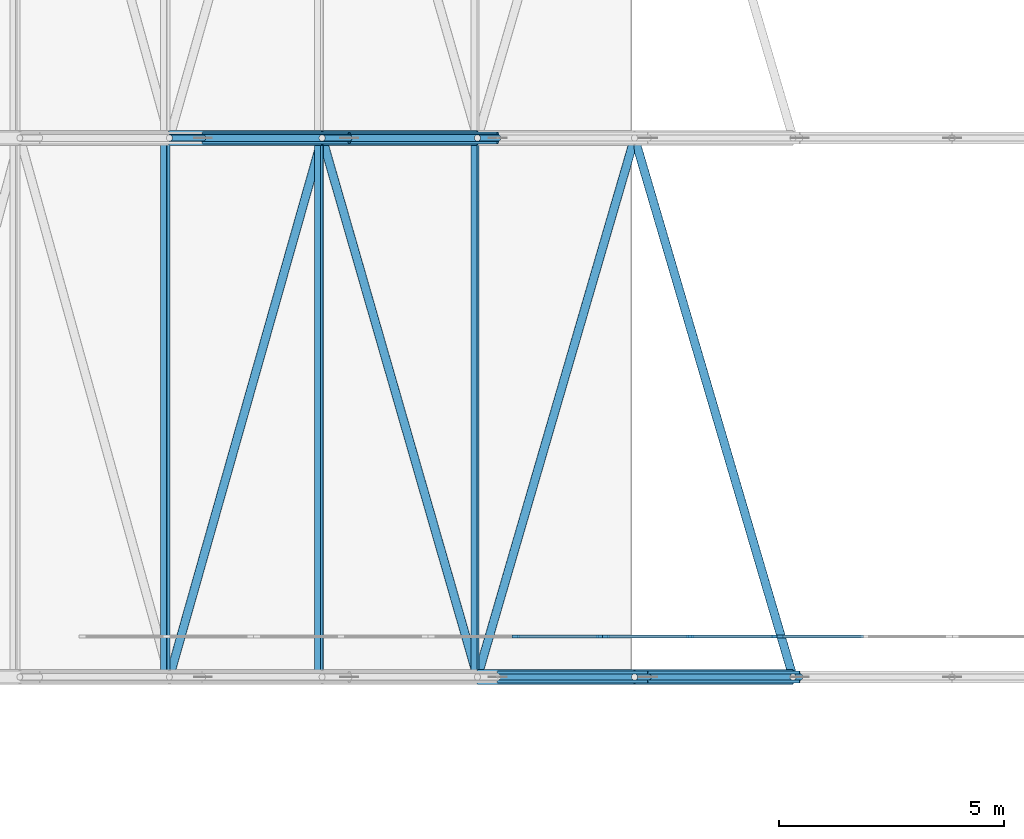
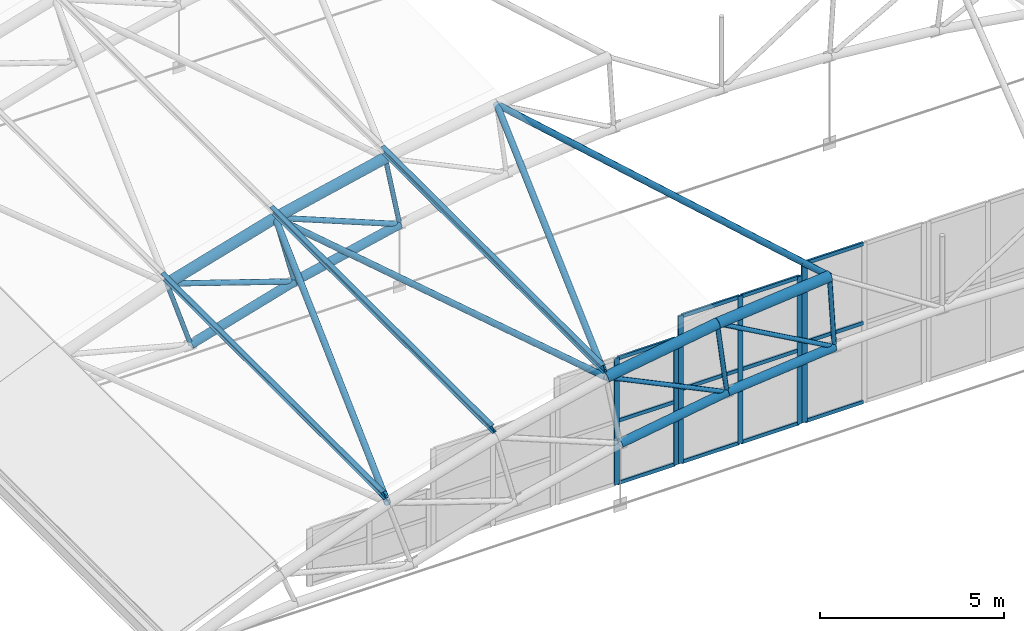
# One storey, part 116 of 321: 42 members, 3 elements without a shape of their own.
"""IFC4 building model written with IfcOpenShell, lengths in metres."""

from ifc_helpers import new_model, si_unit, direction, frame, origin, origin_2d, place, context, subcontext, project, spatial, rectangle, hollow_circle, i_section, extrude, material, layer, layer_set, material_profile, profile_set, type_object, element, aggregate, save


model = new_model("IFC4")

# Units and contexts
model_context = context("Model", 3, precision=1e-05, world=origin(), true_north=direction((0.0, 1.0)))
body_context = subcontext(model_context, "Body", "Model", "MODEL_VIEW")
ifc_project = project(units=[si_unit("LENGTHUNIT", "METRE"), si_unit("AREAUNIT", "SQUARE_METRE"), si_unit("VOLUMEUNIT", "CUBIC_METRE"), si_unit("PLANEANGLEUNIT", "RADIAN"), si_unit("MASSUNIT", "GRAM", prefix="KILO")], contexts=[model_context])

# Site, building, storey
site_placement = place(None, origin())
site = spatial("IfcSite", under=ifc_project, at=site_placement, CompositionType="ELEMENT")
building_placement = place(site_placement, origin())
building = spatial("IfcBuilding", under=site, at=building_placement, Name="Ravi Spectrum Wholesale Market", CompositionType="ELEMENT")
storey_placement = place(building_placement, frame((0.0, 0.0, 10.800048828125)))
storey = spatial("IfcBuildingStorey", under=building, at=storey_placement, Name="L02", CompositionType="ELEMENT", Elevation=10.800048828125)

# Members
ifc_material_1 = material(Name="Steel S355", Category="steel")
ifc_material_profile_1 = material_profile(ifc_material_1, hollow_circle(Radius=0.06982421875, WallThickness=0.0048828125, at=origin_2d()))
ifc_profile_set_1 = profile_set([ifc_material_profile_1], Name="Steel S355")
member_type_1 = type_object("IfcMemberType", Name="CHS 139.7x5 brace", PredefinedType="BRACE", material=ifc_profile_set_1)
for number, where, z_axis, x_axis, name in (
    (1, (163.434326171875, 78.0, 4.394775390625), (0.901638699511, 0.0, -0.432490064098), (0.0, 1.0, 0.0), "H2-MB-L02-045"),
    (2, (166.9326171875, 78.0, 4.952392578125), (0.872529716562, 0.0, -0.488561044001), (0.0, 1.0, 0.0), "H2-MB-L02-046"),
):
    element("IfcMember", number, at=place(storey_placement, frame(where, z_axis=z_axis, x_axis=x_axis)), inside=storey, type_object=member_type_1, Name=name, PredefinedType="BRACE", context=body_context, shape_type="SweptSolid", body=[
        extrude(hollow_circle(Radius=0.06982421875, WallThickness=0.0048828125, at=origin_2d()), origin(), (0.0, 0.0, 1.0), 4.215576171875),
    ])
ifc_material_2 = material(Name="Steel S355", Category="steel")
ifc_material_profile_2 = material_profile(ifc_material_2, hollow_circle(Radius=0.06982421875, WallThickness=0.0048828125, at=origin_2d()))
ifc_profile_set_2 = profile_set([ifc_material_profile_2], Name="Steel S355")
member_type_2 = type_object("IfcMemberType", Name="CHS 139.7x5 post", PredefinedType="POST", material=ifc_profile_set_2)
for number, where, z_axis, x_axis, name in (
    (3, (166.9326171875, 78.0, 4.952392578125), (0.126137795856, 0.0, -0.992012729987), (0.0, 1.0, 0.0), "H2-MB-L02-033"),
    (4, (170.459228515625, 78.0, 5.2880859375), (0.06316988397, 0.0, -0.998002788453), (0.0, 1.0, 0.0), "H2-MB-L02-034"),
):
    element("IfcMember", number, at=place(storey_placement, frame(where, z_axis=z_axis, x_axis=x_axis)), inside=storey, type_object=member_type_2, Name=name, PredefinedType="POST", context=body_context, shape_type="SweptSolid", body=[
        extrude(hollow_circle(Radius=0.06982421875, WallThickness=0.0048828125, at=origin_2d()), origin(), (0.0, 0.0, 1.0), 2.400146484375),
    ])
member_1_placement = place(storey_placement, frame((156.577880859375, 90.0, 2.62255859375), z_axis=(0.310973905747, 0.0, -0.950418449918), x_axis=(0.0, 1.0, 0.0)))
element("IfcMember", 5, at=member_1_placement, inside=storey, type_object=member_type_2, Name="H2-MB-L02-086", PredefinedType="POST", context=body_context, shape_type="SweptSolid", body=[
    extrude(hollow_circle(Radius=0.06982421875, WallThickness=0.0048828125, at=origin_2d()), origin(), (0.0, 0.0, 1.0), 2.39990234375),
])
member_2_placement = place(storey_placement, frame((159.97802734375, 90.0, 3.6171875), z_axis=(0.250234870817, 0.0, -0.96818516278), x_axis=(0.0, 1.0, 0.0)))
element("IfcMember", 6, at=member_2_placement, inside=storey, type_object=member_type_2, Name="H2-MB-L02-087", PredefinedType="POST", context=body_context, shape_type="SweptSolid", body=[
    extrude(hollow_circle(Radius=0.06982421875, WallThickness=0.0048828125, at=origin_2d()), origin(), (0.0, 0.0, 1.0), 2.400146484375),
])
member_3_placement = place(storey_placement, frame((163.434326171875, 90.0, 4.394775390625), z_axis=(0.188500261805, 0.0, -0.982073139486), x_axis=(0.0, 1.0, 0.0)))
element("IfcMember", 7, at=member_3_placement, inside=storey, type_object=member_type_2, Name="H2-MB-L02-088", PredefinedType="POST", context=body_context, shape_type="SweptSolid", body=[
    extrude(hollow_circle(Radius=0.06982421875, WallThickness=0.0048828125, at=origin_2d()), origin(), (0.0, 0.0, 1.0), 2.39990234375),
])
ifc_material_3 = material(Name="Steel S355", Category="steel")
ifc_material_profile_3 = material_profile(ifc_material_3, hollow_circle(Radius=0.084228515625, WallThickness=0.00634765625, at=origin_2d()))
ifc_profile_set_3 = profile_set([ifc_material_profile_3], Name="Steel S355")
member_type_3 = type_object("IfcMemberType", Name="CHS 168.3x6.3 brace", PredefinedType="BRACE", material=ifc_profile_set_3)
for number, where, z_axis, x_axis, name in (
    (8, (156.577880859375, 90.0, 2.62255859375), (0.949001331945, 0.0, -0.315272060237), (0.0, 1.0, 0.0), "H2-MB-L02-099"),
    (9, (159.97802734375, 90.0, 3.6171875), (0.927172989808, 0.0, -0.374633483515), (0.0, 1.0, 0.0), "H2-MB-L02-100"),
):
    element("IfcMember", number, at=place(storey_placement, frame(where, z_axis=z_axis, x_axis=x_axis)), inside=storey, type_object=member_type_3, Name=name, PredefinedType="BRACE", context=body_context, shape_type="SweptSolid", body=[
        extrude(hollow_circle(Radius=0.084228515625, WallThickness=0.00634765625, at=origin_2d()), origin(), (0.0, 0.0, 1.0), 4.2158203125),
    ])
ifc_material_4 = material(Name="Steel S355", Category="steel")
ifc_material_profile_4 = material_profile(ifc_material_4, hollow_circle(Radius=0.096923828125, WallThickness=0.00634765625, at=origin_2d()))
ifc_profile_set_4 = profile_set([ifc_material_profile_4], Name="Steel S355")
member_type_4 = type_object("IfcMemberType", Name="CHS 193.7x6.3 brace", PredefinedType="BRACE", material=ifc_profile_set_4)
for number, where, z_axis, x_axis, name in (
    (10, (156.577880859375, 78.0, 2.62255859375), (0.271750717497, 0.959078858792, 0.079493963027), (-0.962123645882, 0.27261344434, 0.0), "H2-MB-L02-343"),
    (11, (159.97802734375, 90.0, 3.6171875), (0.276238275492, -0.959077750723, 0.062147270427), (0.960935248046, 0.276773280977, 0.0), "H2-MB-L02-344"),
    (12, (163.434326171875, 78.0, 4.394775390625), (0.279595912335, 0.959082858756, 0.04456675719), (-0.960036743137, 0.279873992766, 0.0), "H2-MB-L02-345"),
    (13, (166.9326171875, 90.0, 4.952392578125), (0.281858742221, -0.959080712886, 0.026829752202), (0.95942608958, 0.281960243001, 0.0), "H2-MB-L02-346"),
):
    element("IfcMember", number, at=place(storey_placement, frame(where, z_axis=z_axis, x_axis=x_axis)), inside=storey, type_object=member_type_4, Name=name, PredefinedType="BRACE", context=body_context, shape_type="SweptSolid", body=[
        extrude(hollow_circle(Radius=0.096923828125, WallThickness=0.00634765625, at=origin_2d()), origin(), (0.0, 0.0, 1.0), 12.511962890625),
    ])
ifc_material_5 = material(Name="Steel S355", Category="steel")
ifc_material_profile_5 = material_profile(ifc_material_5, hollow_circle(Radius=0.136474609375, WallThickness=0.010009765625, at=origin_2d()))
ifc_profile_set_5 = profile_set([ifc_material_profile_5], Name="Steel S355")
member_type_5 = type_object("IfcMemberType", Name="CHS 273x10 chord", PredefinedType="CHORD", material=ifc_profile_set_5)
member_4_placement = place(storey_placement, frame((163.88671875, 78.0, 2.037841796875), z_axis=(0.98753659733, 0.0, 0.157389545185), x_axis=(0.0, 1.0, 0.0)))
element("IfcMember", 14, at=member_4_placement, inside=storey, type_object=member_type_5, Name="H2-MB-L02-019", PredefinedType="CHORD", context=body_context, shape_type="SweptSolid", body=[
    extrude(hollow_circle(Radius=0.136474609375, WallThickness=0.010009765625, at=origin_2d()), origin(), (0.0, 0.0, 1.0), 3.390869140625),
])
member_5_placement = place(storey_placement, frame((167.2353515625, 78.0, 2.571533203125), z_axis=(0.995500648787, 0.0, 0.094754726877), x_axis=(0.0, 1.0, 0.0)))
element("IfcMember", 15, at=member_5_placement, inside=storey, type_object=member_type_5, Name="H2-MB-L02-020", PredefinedType="CHORD", context=body_context, shape_type="SweptSolid", body=[
    extrude(hollow_circle(Radius=0.136474609375, WallThickness=0.010009765625, at=origin_2d()), origin(), (0.0, 0.0, 1.0), 3.390625),
])
for number, where, z_axis, x_axis, name in (
    (16, (157.32421875, 90.0, 0.341552734375), (0.959785210249, 0.0, 0.280735373951), (0.0, 1.0, 0.0), "H2-MB-L02-073"),
    (17, (160.57861328125, 90.0, 1.29345703125), (0.975605901076, 0.0, 0.219529327851), (0.0, 1.0, 0.0), "H2-MB-L02-074"),
):
    element("IfcMember", number, at=place(storey_placement, frame(where, z_axis=z_axis, x_axis=x_axis)), inside=storey, type_object=member_type_5, Name=name, PredefinedType="CHORD", context=body_context, shape_type="SweptSolid", body=[
        extrude(hollow_circle(Radius=0.136474609375, WallThickness=0.010009765625, at=origin_2d()), origin(), (0.0, 0.0, 1.0), 3.390869140625),
    ])
ifc_material_6 = material(Name="Steel S355", Category="steel")
ifc_material_profile_6 = material_profile(ifc_material_6, hollow_circle(Radius=0.161865234375, WallThickness=0.010009765625, at=origin_2d()))
ifc_profile_set_6 = profile_set([ifc_material_profile_6], Name="Steel S355")
member_type_6 = type_object("IfcMemberType", Name="CHS 323.9x10 chord", PredefinedType="CHORD", material=ifc_profile_set_6)
for number, where, z_axis, x_axis, name in (
    (18, (163.434326171875, 78.0, 4.394775390625), (0.987533356072, 0.0, 0.157409881029), (0.0, 1.0, 0.0), "H2-MB-L02-005"),
    (19, (166.9326171875, 78.0, 4.952392578125), (0.995500117461, 0.0, 0.094760308862), (0.0, 1.0, 0.0), "H2-MB-L02-006"),
):
    element("IfcMember", number, at=place(storey_placement, frame(where, z_axis=z_axis, x_axis=x_axis)), inside=storey, type_object=member_type_6, Name=name, PredefinedType="CHORD", context=body_context, shape_type="SweptSolid", body=[
        extrude(hollow_circle(Radius=0.161865234375, WallThickness=0.010009765625, at=origin_2d()), origin(), (0.0, 0.0, 1.0), 3.54248046875),
    ])
for number, where, z_axis, x_axis, name in (
    (20, (156.577880859375, 90.0, 2.62255859375), (0.959778179425, 0.0, 0.280759409993), (0.0, 1.0, 0.0), "H2-MB-L02-059"),
    (21, (159.97802734375, 90.0, 3.6171875), (0.975614552373, 0.0, 0.219490877256), (0.0, 1.0, 0.0), "H2-MB-L02-060"),
):
    element("IfcMember", number, at=place(storey_placement, frame(where, z_axis=z_axis, x_axis=x_axis)), inside=storey, type_object=member_type_6, Name=name, PredefinedType="CHORD", context=body_context, shape_type="SweptSolid", body=[
        extrude(hollow_circle(Radius=0.161865234375, WallThickness=0.010009765625, at=origin_2d()), origin(), (0.0, 0.0, 1.0), 3.542724609375),
    ])
ifc_material_7 = material(Name="Steel S355", Category="steel")
ifc_material_profile_7 = material_profile(ifc_material_7, i_section(OverallWidth=0.135009765625, OverallDepth=0.27001953125, WebThickness=0.006591796875, FlangeThickness=0.01025390625, at=origin_2d()))
ifc_profile_set_7 = profile_set([ifc_material_profile_7], Name="Steel S355")
member_type_7 = type_object("IfcMemberType", Name="IPE 270 purlin", PredefinedType="PURLIN", material=ifc_profile_set_7)
for number, where, z_axis, x_axis, name in (
    (22, (156.485595703125, 78.0, 2.90478515625), (0.0, 1.0, 0.0), (-0.950435264979, 0.0, -0.310922509774), "H2-MB-L02-283"),
    (23, (159.90380859375, 78.0, 3.904541015625), (0.0, 1.0, 0.0), (-0.968183171472, 0.0, -0.250242575271), "H2-MB-L02-284"),
    (24, (163.378173828125, 78.0, 4.6865234375), (0.0, 1.0, 0.0), (-0.982061208549, 0.0, -0.188562410526), "H2-MB-L02-285"),
):
    element("IfcMember", number, at=place(storey_placement, frame(where, z_axis=z_axis, x_axis=x_axis)), inside=storey, type_object=member_type_7, Name=name, PredefinedType="PURLIN", context=body_context, shape_type="SweptSolid", body=[
        extrude(i_section(OverallWidth=0.135009765625, OverallDepth=0.27001953125, WebThickness=0.006591796875, FlangeThickness=0.01025390625, at=origin_2d()), origin(), (0.0, 0.0, 1.0), 12.0),
    ])

# Curtain wall, members
ifc_material_8 = material(Name="Aluminium 6063-T6", Category="aluminium")
ifc_layer = layer(ifc_material_8, 0.14990234375)
ifc_layer_set = layer_set([ifc_layer], Name="Aluminium 6063-T6")
curtain_wall_type = type_object("IfcCurtainWallType", Name="Curtain wall 150", PredefinedType="NOTDEFINED", material=ifc_layer_set)
curtain_wall_1_placement = place(storey_placement, origin())
curtain_wall_1 = element("IfcCurtainWall", 25, at=curtain_wall_1_placement, inside=storey, type_object=curtain_wall_type, Name="H2-CW-L02-003", PredefinedType="NOTDEFINED")
ifc_material_9 = material(Name="Aluminium 6063-T6", Category="aluminium")
ifc_material_profile_8 = material_profile(ifc_material_9, rectangle(XDim=0.06005859375, YDim=0.159912109375, at=origin_2d()))
ifc_profile_set_8 = profile_set([ifc_material_profile_8], Name="Aluminium 6063-T6")
member_type_8 = type_object("IfcMemberType", Name="Mullion 60 x 160", PredefinedType="MULLION", material=ifc_profile_set_8)
member_6_placement = place(storey_placement, frame((164.28466796875, 78.89990234375, 0.0), z_axis=(0.0, 0.0, 1.0), x_axis=(0.0, 1.0, 0.0)))
member_6 = element("IfcMember", 26, at=member_6_placement, type_object=member_type_8, Name="H2-CW-L02-003 mullion 2", PredefinedType="MULLION", context=body_context, shape_type="SweptSolid", body=[
    extrude(rectangle(XDim=0.06005859375, YDim=0.159912109375, at=origin_2d()), origin(), (0.0, 0.0, 1.0), 4.199951171875),
])
member_7_placement = place(storey_placement, frame((166.15771484375, 78.89990234375, 0.0), z_axis=(0.0, 0.0, 1.0), x_axis=(0.0, 1.0, 0.0)))
member_7 = element("IfcMember", 27, at=member_7_placement, type_object=member_type_8, Name="H2-CW-L02-003 mullion 3", PredefinedType="MULLION", context=body_context, shape_type="SweptSolid", body=[
    extrude(rectangle(XDim=0.06005859375, YDim=0.159912109375, at=origin_2d()), origin(), (0.0, 0.0, 1.0), 4.199951171875),
])

curtain_wall_2_placement = place(storey_placement, origin())
curtain_wall_2 = element("IfcCurtainWall", 28, at=curtain_wall_2_placement, inside=storey, type_object=curtain_wall_type, Name="H2-CW-L02-004", PredefinedType="NOTDEFINED")
member_8_placement = place(storey_placement, frame((166.2978515625, 78.89990234375, 0.0), z_axis=(0.0, 0.0, 1.0), x_axis=(0.0, 1.0, 0.0)))
member_8 = element("IfcMember", 29, at=member_8_placement, type_object=member_type_8, Name="H2-CW-L02-004 mullion 1", PredefinedType="MULLION", context=body_context, shape_type="SweptSolid", body=[
    extrude(rectangle(XDim=0.06005859375, YDim=0.159912109375, at=origin_2d()), origin(), (0.0, 0.0, 1.0), 4.89990234375),
])
member_9_placement = place(storey_placement, frame((168.1708984375, 78.89990234375, 0.0), z_axis=(0.0, 0.0, 1.0), x_axis=(0.0, 1.0, 0.0)))
member_9 = element("IfcMember", 30, at=member_9_placement, type_object=member_type_8, Name="H2-CW-L02-004 mullion 2", PredefinedType="MULLION", context=body_context, shape_type="SweptSolid", body=[
    extrude(rectangle(XDim=0.06005859375, YDim=0.159912109375, at=origin_2d()), origin(), (0.0, 0.0, 1.0), 4.89990234375),
])
member_10_placement = place(storey_placement, frame((170.0439453125, 78.89990234375, 0.0), z_axis=(0.0, 0.0, 1.0), x_axis=(0.0, 1.0, 0.0)))
member_10 = element("IfcMember", 31, at=member_10_placement, type_object=member_type_8, Name="H2-CW-L02-004 mullion 3", PredefinedType="MULLION", context=body_context, shape_type="SweptSolid", body=[
    extrude(rectangle(XDim=0.06005859375, YDim=0.159912109375, at=origin_2d()), origin(), (0.0, 0.0, 1.0), 4.89990234375),
])

# Curtain wall, member
curtain_wall_3_placement = place(storey_placement, origin())
curtain_wall_3 = element("IfcCurtainWall", 32, at=curtain_wall_3_placement, inside=storey, type_object=curtain_wall_type, Name="H2-CW-L02-005", PredefinedType="NOTDEFINED")
member_11_placement = place(storey_placement, frame((170.183837890625, 78.89990234375, 0.0), z_axis=(0.0, 0.0, 1.0), x_axis=(0.0, 1.0, 0.0)))
member_11 = element("IfcMember", 33, at=member_11_placement, type_object=member_type_8, Name="H2-CW-L02-005 mullion 1", PredefinedType="MULLION", context=body_context, shape_type="SweptSolid", body=[
    extrude(rectangle(XDim=0.06005859375, YDim=0.159912109375, at=origin_2d()), origin(), (0.0, 0.0, 1.0), 5.300048828125),
])

# Member
ifc_material_10 = material(Name="Aluminium 6063-T6", Category="aluminium")
ifc_material_profile_9 = material_profile(ifc_material_10, rectangle(XDim=0.06005859375, YDim=0.1201171875, at=origin_2d()))
ifc_profile_set_9 = profile_set([ifc_material_profile_9], Name="Aluminium 6063-T6")
member_type_9 = type_object("IfcMemberType", Name="Transom 60 x 120", PredefinedType="USERDEFINED", material=ifc_profile_set_9)
member_12_placement = place(storey_placement, frame((164.314697265625, 78.89990234375, 0.030029296875), z_axis=(1.0, 0.0, 0.0), x_axis=(0.0, 1.0, 0.0)))
member_12 = element("IfcMember", 34, at=member_12_placement, type_object=member_type_9, Name="H2-CW-L02-003 transom 2.1", ObjectType="TRANSOM", PredefinedType="USERDEFINED", context=body_context, shape_type="SweptSolid", body=[
    extrude(rectangle(XDim=0.06005859375, YDim=0.1201171875, at=origin_2d()), origin(), (0.0, 0.0, 1.0), 1.81298828125),
])

member_13_placement = place(storey_placement, frame((164.314697265625, 78.89990234375, 2.099853515625), z_axis=(1.0, 0.0, 0.0), x_axis=(0.0, 1.0, 0.0)))
member_13 = element("IfcMember", 35, at=member_13_placement, type_object=member_type_9, Name="H2-CW-L02-003 transom 2.2", ObjectType="TRANSOM", PredefinedType="USERDEFINED", context=body_context, shape_type="SweptSolid", body=[
    extrude(rectangle(XDim=0.06005859375, YDim=0.1201171875, at=origin_2d()), origin(), (0.0, 0.0, 1.0), 1.81298828125),
])

member_14_placement = place(storey_placement, frame((164.314697265625, 78.89990234375, 4.169921875), z_axis=(1.0, 0.0, 0.0), x_axis=(0.0, 1.0, 0.0)))
member_14 = element("IfcMember", 36, at=member_14_placement, type_object=member_type_9, Name="H2-CW-L02-003 transom 2.3", ObjectType="TRANSOM", PredefinedType="USERDEFINED", context=body_context, shape_type="SweptSolid", body=[
    extrude(rectangle(XDim=0.06005859375, YDim=0.1201171875, at=origin_2d()), origin(), (0.0, 0.0, 1.0), 1.81298828125),
])

aggregate(curtain_wall_1, [member_6, member_7, member_12, member_13, member_14])

member_15_placement = place(storey_placement, frame((166.32763671875, 78.89990234375, 0.030029296875), z_axis=(1.0, 0.0, 0.0), x_axis=(0.0, 1.0, 0.0)))
member_15 = element("IfcMember", 37, at=member_15_placement, type_object=member_type_9, Name="H2-CW-L02-004 transom 1.1", ObjectType="TRANSOM", PredefinedType="USERDEFINED", context=body_context, shape_type="SweptSolid", body=[
    extrude(rectangle(XDim=0.06005859375, YDim=0.1201171875, at=origin_2d()), origin(), (0.0, 0.0, 1.0), 1.813232421875),
])

member_16_placement = place(storey_placement, frame((166.32763671875, 78.89990234375, 2.449951171875), z_axis=(1.0, 0.0, 0.0), x_axis=(0.0, 1.0, 0.0)))
member_16 = element("IfcMember", 38, at=member_16_placement, type_object=member_type_9, Name="H2-CW-L02-004 transom 1.2", ObjectType="TRANSOM", PredefinedType="USERDEFINED", context=body_context, shape_type="SweptSolid", body=[
    extrude(rectangle(XDim=0.06005859375, YDim=0.1201171875, at=origin_2d()), origin(), (0.0, 0.0, 1.0), 1.813232421875),
])

member_17_placement = place(storey_placement, frame((166.32763671875, 78.89990234375, 4.869873046875), z_axis=(1.0, 0.0, 0.0), x_axis=(0.0, 1.0, 0.0)))
member_17 = element("IfcMember", 39, at=member_17_placement, type_object=member_type_9, Name="H2-CW-L02-004 transom 1.3", ObjectType="TRANSOM", PredefinedType="USERDEFINED", context=body_context, shape_type="SweptSolid", body=[
    extrude(rectangle(XDim=0.06005859375, YDim=0.1201171875, at=origin_2d()), origin(), (0.0, 0.0, 1.0), 1.813232421875),
])

member_18_placement = place(storey_placement, frame((168.20068359375, 78.89990234375, 0.030029296875), z_axis=(1.0, 0.0, 0.0), x_axis=(0.0, 1.0, 0.0)))
member_18 = element("IfcMember", 40, at=member_18_placement, type_object=member_type_9, Name="H2-CW-L02-004 transom 2.1", ObjectType="TRANSOM", PredefinedType="USERDEFINED", context=body_context, shape_type="SweptSolid", body=[
    extrude(rectangle(XDim=0.06005859375, YDim=0.1201171875, at=origin_2d()), origin(), (0.0, 0.0, 1.0), 1.813232421875),
])

member_19_placement = place(storey_placement, frame((168.20068359375, 78.89990234375, 2.449951171875), z_axis=(1.0, 0.0, 0.0), x_axis=(0.0, 1.0, 0.0)))
member_19 = element("IfcMember", 41, at=member_19_placement, type_object=member_type_9, Name="H2-CW-L02-004 transom 2.2", ObjectType="TRANSOM", PredefinedType="USERDEFINED", context=body_context, shape_type="SweptSolid", body=[
    extrude(rectangle(XDim=0.06005859375, YDim=0.1201171875, at=origin_2d()), origin(), (0.0, 0.0, 1.0), 1.813232421875),
])

member_20_placement = place(storey_placement, frame((168.20068359375, 78.89990234375, 4.869873046875), z_axis=(1.0, 0.0, 0.0), x_axis=(0.0, 1.0, 0.0)))
member_20 = element("IfcMember", 42, at=member_20_placement, type_object=member_type_9, Name="H2-CW-L02-004 transom 2.3", ObjectType="TRANSOM", PredefinedType="USERDEFINED", context=body_context, shape_type="SweptSolid", body=[
    extrude(rectangle(XDim=0.06005859375, YDim=0.1201171875, at=origin_2d()), origin(), (0.0, 0.0, 1.0), 1.813232421875),
])

aggregate(curtain_wall_2, [member_8, member_9, member_10, member_15, member_16, member_17, member_18, member_19, member_20])

member_21_placement = place(storey_placement, frame((170.2138671875, 78.89990234375, 0.030029296875), z_axis=(1.0, 0.0, 0.0), x_axis=(0.0, 1.0, 0.0)))
member_21 = element("IfcMember", 43, at=member_21_placement, type_object=member_type_9, Name="H2-CW-L02-005 transom 1.1", ObjectType="TRANSOM", PredefinedType="USERDEFINED", context=body_context, shape_type="SweptSolid", body=[
    extrude(rectangle(XDim=0.06005859375, YDim=0.1201171875, at=origin_2d()), origin(), (0.0, 0.0, 1.0), 1.81298828125),
])

member_22_placement = place(storey_placement, frame((170.2138671875, 78.89990234375, 2.64990234375), z_axis=(1.0, 0.0, 0.0), x_axis=(0.0, 1.0, 0.0)))
member_22 = element("IfcMember", 44, at=member_22_placement, type_object=member_type_9, Name="H2-CW-L02-005 transom 1.2", ObjectType="TRANSOM", PredefinedType="USERDEFINED", context=body_context, shape_type="SweptSolid", body=[
    extrude(rectangle(XDim=0.06005859375, YDim=0.1201171875, at=origin_2d()), origin(), (0.0, 0.0, 1.0), 1.81298828125),
])

member_23_placement = place(storey_placement, frame((170.2138671875, 78.89990234375, 5.27001953125), z_axis=(1.0, 0.0, 0.0), x_axis=(0.0, 1.0, 0.0)))
member_23 = element("IfcMember", 45, at=member_23_placement, type_object=member_type_9, Name="H2-CW-L02-005 transom 1.3", ObjectType="TRANSOM", PredefinedType="USERDEFINED", context=body_context, shape_type="SweptSolid", body=[
    extrude(rectangle(XDim=0.06005859375, YDim=0.1201171875, at=origin_2d()), origin(), (0.0, 0.0, 1.0), 1.81298828125),
])

aggregate(curtain_wall_3, [member_11, member_21, member_22, member_23])

save(model, "model.ifc")
